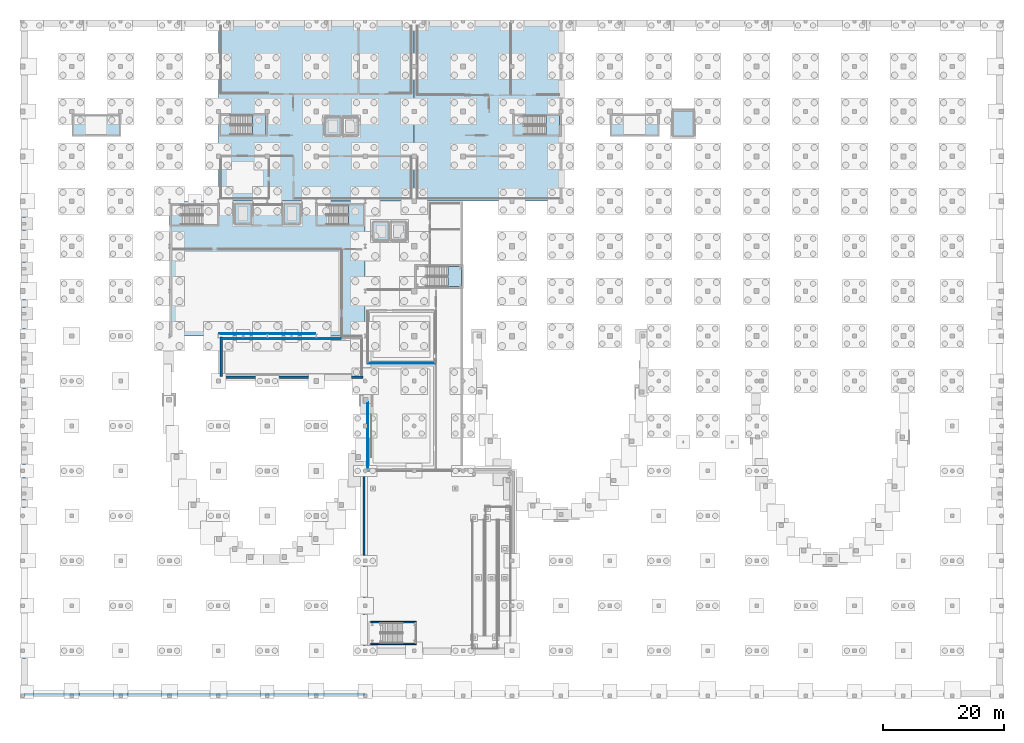
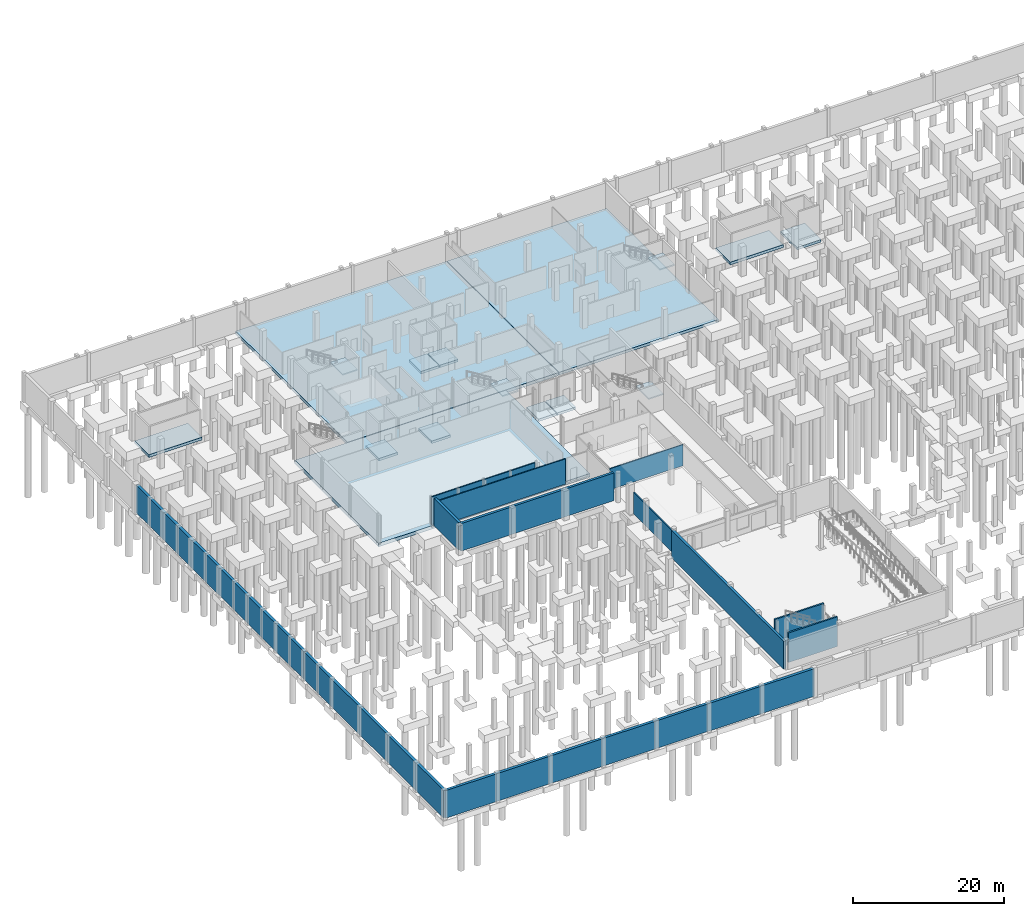
# One storey, part 23 of 37: 16 slabs, 12 walls, 4 elements without a shape of their own.
"""IFC4 building model written with IfcOpenShell, lengths in metres."""

from ifc_helpers import new_model, si_unit, direction, frame, frame_2d, origin, place, context, subcontext, project, spatial, polyline, rectangle, outline, extrude, material, layer, layer_set, type_object, element, aggregate, save


model = new_model("IFC4")

# Units and contexts
model_context = context("Model", 3, precision=1e-05, world=origin(), true_north=direction((0.0, 1.0)))
body_context = subcontext(model_context, "Body", "Model", "MODEL_VIEW")
ifc_project = project(units=[si_unit("LENGTHUNIT", "METRE"), si_unit("AREAUNIT", "SQUARE_METRE"), si_unit("VOLUMEUNIT", "CUBIC_METRE"), si_unit("PLANEANGLEUNIT", "RADIAN"), si_unit("MASSUNIT", "GRAM", prefix="KILO")], contexts=[model_context])

# Site, building, storey
site_placement = place(None, origin())
site = spatial("IfcSite", under=ifc_project, at=site_placement, CompositionType="ELEMENT")
building_placement = place(site_placement, origin())
building = spatial("IfcBuilding", under=site, at=building_placement, Name="Kaelora Sail Theatre", CompositionType="ELEMENT")
storey_placement = place(building_placement, frame((0.0, 0.0, -4.800048828125)))
storey = spatial("IfcBuildingStorey", under=building, at=storey_placement, Name="B1", CompositionType="ELEMENT", Elevation=-4.800048828125)

# Stair, slab
ifc_material_1 = material(Name="Concrete C40/50", Category="concrete")
stair_type_1 = type_object("IfcStairType", Name="ARC-ST-ESC150", PredefinedType="HALF_TURN_STAIR", material=ifc_material_1)
stair_1_placement = place(storey_placement, origin())
stair_1 = element("IfcStair", 1, at=stair_1_placement, inside=storey, type_object=stair_type_1, Name="B1 ST-K5", PredefinedType="HALF_TURN_STAIR")
ifc_material_2 = material(Name="Concrete C40/50", Category="concrete")
ifc_layer_1 = layer(ifc_material_2, 0.219970703125)
ifc_layer_set_1 = layer_set([ifc_layer_1], Name="Concrete C40/50")
slab_type_1 = type_object("IfcSlabType", Name="ARC-SLB-LND220", PredefinedType="LANDING", material=ifc_layer_set_1)
slab_1_placement = place(storey_placement, frame((0.0, 0.0, 2.199951171875)))
slab_1 = element("IfcSlab", 2, at=slab_1_placement, type_object=slab_type_1, Name="ST-K5 landing 1", PredefinedType="LANDING", context=body_context, shape_type="SweptSolid", body=[
    extrude(outline(polyline([(55.449951171875, 79.449951171875), (57.89990234375, 79.449951171875), (57.89990234375, 82.699951171875), (55.449951171875, 82.699951171875), (55.449951171875, 79.449951171875)])), origin(), (0.0, 0.0, 1.0), 0.2001953125),
])
aggregate(stair_1, [slab_1])

stair_2_placement = place(storey_placement, origin())
stair_2 = element("IfcStair", 3, at=stair_2_placement, inside=storey, type_object=stair_type_1, Name="B1 ST-K2", PredefinedType="HALF_TURN_STAIR")
slab_2_placement = place(storey_placement, frame((0.0, 0.0, 2.199951171875)))
slab_2 = element("IfcSlab", 4, at=slab_2_placement, type_object=slab_type_1, Name="ST-K2 landing 1", PredefinedType="LANDING", context=body_context, shape_type="SweptSolid", body=[
    extrude(outline(polyline([(39.5400390625, 94.35009765625), (41.800048828125, 94.35009765625), (41.800048828125, 97.60009765625), (39.5400390625, 97.60009765625), (39.5400390625, 94.35009765625)])), origin(), (0.0, 0.0, 1.0), 0.2001953125),
])
aggregate(stair_2, [slab_2])

stair_3_placement = place(storey_placement, origin())
stair_3 = element("IfcStair", 5, at=stair_3_placement, inside=storey, type_object=stair_type_1, Name="B1 ST-K3", PredefinedType="HALF_TURN_STAIR")
slab_3_placement = place(storey_placement, frame((0.0, 0.0, 2.199951171875)))
slab_3 = element("IfcSlab", 6, at=slab_3_placement, type_object=slab_type_1, Name="ST-K3 landing 1", PredefinedType="LANDING", context=body_context, shape_type="SweptSolid", body=[
    extrude(outline(polyline([(88.139892578125, 94.35009765625), (90.39990234375, 94.35009765625), (90.39990234375, 97.5), (88.139892578125, 97.5), (88.139892578125, 94.35009765625)])), origin(), (0.0, 0.0, 1.0), 0.2001953125),
])
aggregate(stair_3, [slab_3])

ifc_material_3 = material(Name="Precast concrete C45/55", Category="concrete")
stair_type_2 = type_object("IfcStairType", Name="ARC-ST-FOY165", PredefinedType="HALF_TURN_STAIR", material=ifc_material_3)
stair_4_placement = place(storey_placement, origin())
stair_4 = element("IfcStair", 7, at=stair_4_placement, inside=storey, type_object=stair_type_2, Name="B1 ST-F1", PredefinedType="HALF_TURN_STAIR")
ifc_material_4 = material(Name="Precast concrete C45/55", Category="concrete")
ifc_layer_2 = layer(ifc_material_4, 0.239990234375)
ifc_layer_set_2 = layer_set([ifc_layer_2], Name="Precast concrete C45/55")
slab_type_2 = type_object("IfcSlabType", Name="ARC-SLB-LND240", PredefinedType="LANDING", material=ifc_layer_set_2)
slab_4_placement = place(storey_placement, frame((0.0, 0.0, 2.199951171875)))
slab_4 = element("IfcSlab", 8, at=slab_4_placement, type_object=slab_type_2, Name="ST-F1 landing 1", PredefinedType="LANDING", context=body_context, shape_type="SweptSolid", body=[
    extrude(outline(polyline([(71.909912109375, 69.199951171875), (74.169921875, 69.199951171875), (74.169921875, 72.550048828125), (71.909912109375, 72.550048828125), (71.909912109375, 69.199951171875)])), origin(), (0.0, 0.0, 1.0), 0.2001953125),
])
aggregate(stair_4, [slab_4])

# Slabs
ifc_material_5 = material(Name="Concrete C40/50", Category="concrete")
ifc_layer_3 = layer(ifc_material_5, 0.449951171875)
ifc_layer_set_3 = layer_set([ifc_layer_3], Name="Concrete C40/50")
slab_type_3 = type_object("IfcSlabType", Name="STR-SLB-SL-BS450", PredefinedType="BASESLAB", material=ifc_layer_set_3)
slab_5_placement = place(storey_placement, frame((0.0, 0.0, -0.449951171875)))
element("IfcSlab", 9, at=slab_5_placement, inside=storey, type_object=slab_type_3, Name="Stair core ST-K4 basement raft slab", PredefinedType="BASESLAB", context=body_context, shape_type="SweptSolid", body=[
    extrude(outline(polyline([(98.75, 94.050048828125), (106.89990234375, 94.050048828125), (106.89990234375, 97.89990234375), (98.75, 97.89990234375), (98.75, 94.050048828125)])), origin(), (0.0, 0.0, 1.0), 0.449951171875),
])
slab_6_placement = place(storey_placement, frame((0.0, 0.0, -0.449951171875)))
element("IfcSlab", 10, at=slab_6_placement, inside=storey, type_object=slab_type_3, Name="Stair core ST-W1 basement raft slab", PredefinedType="BASESLAB", context=body_context, shape_type="SweptSolid", body=[
    extrude(outline(polyline([(9.64990234375, 94.050048828125), (17.800048828125, 94.050048828125), (17.800048828125, 97.800048828125), (9.64990234375, 97.800048828125), (9.64990234375, 94.050048828125)])), origin(), (0.0, 0.0, 1.0), 0.449951171875),
])
slab_7_placement = place(storey_placement, frame((0.0, 0.0, -0.449951171875)))
element("IfcSlab", 11, at=slab_7_placement, inside=storey, type_object=slab_type_3, Name="Basement base slab BS-NW3", PredefinedType="BASESLAB", context=body_context, shape_type="SweptSolid", body=[
    extrude(outline(polyline([(66.330078125, 83.35498046875), (90.800048828125, 83.35498046875), (90.800048828125, 113.10009765625), (66.330078125, 113.10009765625), (66.330078125, 83.35498046875)])), origin(), (0.0, 0.0, 1.0), 0.449951171875),
])
ifc_material_6 = material(Name="Concrete C40/50", Category="concrete")
ifc_layer_4 = layer(ifc_material_6, 0.5)
ifc_layer_set_4 = layer_set([ifc_layer_4], Name="Concrete C40/50")
slab_type_4 = type_object("IfcSlabType", Name="STR-SLB-SL-BS500", PredefinedType="BASESLAB", material=ifc_layer_set_4)
slab_8_placement = place(storey_placement, frame((0.0, 0.0, -0.5)))
element("IfcSlab", 12, at=slab_8_placement, inside=storey, type_object=slab_type_4, Name="Basement base slab BS-NW2", PredefinedType="BASESLAB", context=body_context, shape_type="SweptSolid", body=[
    extrude(outline(polyline([(33.929931640625, 83.35498046875), (66.27001953125, 83.35498046875), (66.27001953125, 113.10009765625), (33.929931640625, 113.10009765625), (33.929931640625, 83.35498046875)])), origin(), (0.0, 0.0, 1.0), 0.5),
])
ifc_material_7 = material(Name="Concrete C45/55", Category="concrete")
ifc_layer_5 = layer(ifc_material_7, 0.550048828125)
ifc_layer_set_5 = layer_set([ifc_layer_5], Name="Concrete C45/55")
slab_type_5 = type_object("IfcSlabType", Name="STR-SLB-SL-BS550", PredefinedType="BASESLAB", material=ifc_layer_set_5)
slab_9_placement = place(storey_placement, frame((0.0, 0.0, -0.550048828125)))
element("IfcSlab", 13, at=slab_9_placement, inside=storey, type_object=slab_type_5, Name="Basement base slab BS-FLY", PredefinedType="BASESLAB", context=body_context, shape_type="SweptSolid", body=[
    extrude(outline(polyline([(25.800048828125, 61.050048828125), (58.199951171875, 61.050048828125), (58.199951171875, 83.31005859375), (25.800048828125, 83.31005859375), (25.800048828125, 61.050048828125)])), origin(), (0.0, 0.0, 1.0), 0.550048828125),
])
ifc_material_8 = material(Name="Concrete C40/50", Category="concrete")
ifc_layer_6 = layer(ifc_material_8, 0.39990234375)
ifc_layer_set_6 = layer_set([ifc_layer_6], Name="Concrete C40/50")
slab_type_6 = type_object("IfcSlabType", Name="STR-SLB-SL-PIT400", PredefinedType="BASESLAB", material=ifc_layer_set_6)
slab_10_placement = place(storey_placement, frame((0.0, 0.0, -1.599853515625)))
element("IfcSlab", 14, at=slab_10_placement, inside=storey, type_object=slab_type_6, Name="Lift pit slab FFL-01", PredefinedType="BASESLAB", context=body_context, shape_type="SweptSolid", body=[
    extrude(outline(polyline([(36.5, 79.5), (39.39990234375, 79.5), (39.39990234375, 83.0), (36.5, 83.0), (36.5, 79.5)])), origin(), (0.0, 0.0, 1.0), 0.39990234375),
])
slab_11_placement = place(storey_placement, frame((0.0, 0.0, -1.599853515625)))
element("IfcSlab", 15, at=slab_11_placement, inside=storey, type_object=slab_type_6, Name="Lift pit slab FFL-02", PredefinedType="BASESLAB", context=body_context, shape_type="SweptSolid", body=[
    extrude(outline(polyline([(44.60009765625, 79.5), (47.5, 79.5), (47.5, 83.0), (44.60009765625, 83.0), (44.60009765625, 79.5)])), origin(), (0.0, 0.0, 1.0), 0.39990234375),
])
slab_12_placement = place(storey_placement, frame((0.0, 0.0, -1.599853515625)))
element("IfcSlab", 16, at=slab_12_placement, inside=storey, type_object=slab_type_6, Name="Lift pit slab PL-01", PredefinedType="BASESLAB", context=body_context, shape_type="SweptSolid", body=[
    extrude(outline(polyline([(59.39990234375, 76.800048828125), (62.199951171875, 76.800048828125), (62.199951171875, 80.0), (59.39990234375, 80.0), (59.39990234375, 76.800048828125)])), origin(), (0.0, 0.0, 1.0), 0.39990234375),
])
slab_13_placement = place(storey_placement, frame((0.0, 0.0, -1.599853515625)))
element("IfcSlab", 17, at=slab_13_placement, inside=storey, type_object=slab_type_6, Name="Lift pit slab PL-02", PredefinedType="BASESLAB", context=body_context, shape_type="SweptSolid", body=[
    extrude(outline(polyline([(62.300048828125, 76.800048828125), (65.10009765625, 76.800048828125), (65.10009765625, 80.0), (62.300048828125, 80.0), (62.300048828125, 76.800048828125)])), origin(), (0.0, 0.0, 1.0), 0.39990234375),
])
slab_14_placement = place(storey_placement, frame((0.0, 0.0, -1.599853515625)))
element("IfcSlab", 18, at=slab_14_placement, inside=storey, type_object=slab_type_6, Name="Lift pit slab PL-03", PredefinedType="BASESLAB", context=body_context, shape_type="SweptSolid", body=[
    extrude(outline(polyline([(51.39990234375, 94.14990234375), (54.199951171875, 94.14990234375), (54.199951171875, 97.35009765625), (51.39990234375, 97.35009765625), (51.39990234375, 94.14990234375)])), origin(), (0.0, 0.0, 1.0), 0.39990234375),
])
slab_15_placement = place(storey_placement, frame((0.0, 0.0, -1.599853515625)))
element("IfcSlab", 19, at=slab_15_placement, inside=storey, type_object=slab_type_6, Name="Lift pit slab PL-04", PredefinedType="BASESLAB", context=body_context, shape_type="SweptSolid", body=[
    extrude(outline(polyline([(54.300048828125, 94.14990234375), (57.10009765625, 94.14990234375), (57.10009765625, 97.35009765625), (54.300048828125, 97.35009765625), (54.300048828125, 94.14990234375)])), origin(), (0.0, 0.0, 1.0), 0.39990234375),
])
slab_16_placement = place(storey_placement, frame((0.0, 0.0, -1.599853515625)))
element("IfcSlab", 20, at=slab_16_placement, inside=storey, type_object=slab_type_6, Name="Lift pit slab GL-01", PredefinedType="BASESLAB", context=body_context, shape_type="SweptSolid", body=[
    extrude(outline(polyline([(109.0, 94.050048828125), (112.699951171875, 94.050048828125), (112.699951171875, 98.449951171875), (109.0, 98.449951171875), (109.0, 94.050048828125)])), origin(), (0.0, 0.0, 1.0), 0.39990234375),
])

# Walls
ifc_material_9 = material(Name="Concrete C40/50", Category="concrete")
ifc_layer_7 = layer(ifc_material_9, 0.25)
ifc_layer_set_7 = layer_set([ifc_layer_7], Name="Concrete C40/50")
wall_type_1 = type_object("IfcWallType", Name="ARC-WL-CW-250", PredefinedType="SHEAR", material=ifc_layer_set_7)
for number, where, z_axis, x_axis, name in (
    (21, (59.10009765625, 13.669921875, 0.0), (0.0, 0.0, 1.0), (1.0, 0.0, 0.0), "Plaza stair ST-PLZ cheek wall N"),
    (22, (59.10009765625, 10.080078125, 0.0), (0.0, 0.0, 1.0), (1.0, 0.0, 0.0), "Plaza stair ST-PLZ cheek wall S"),
):
    element("IfcWall", number, at=place(storey_placement, frame(where, z_axis=z_axis, x_axis=x_axis)), inside=storey, type_object=wall_type_1, Name=name, PredefinedType="SHEAR", context=body_context, shape_type="SweptSolid", body=[
        extrude(rectangle(XDim=7.5498046875, YDim=0.25, at=frame_2d((3.77490234375, 0.0))), origin(), (0.0, 0.0, 1.0), 4.800048828125),
    ])
ifc_material_10 = material(Name="Demountable acoustic studio wall 150 mm", Category="timber")
ifc_layer_8 = layer(ifc_material_10, 0.14990234375)
ifc_layer_set_8 = layer_set([ifc_layer_8], Name="Demountable acoustic studio wall 150 mm")
wall_type_2 = type_object("IfcWallType", Name="ARC-WL-MV-150", PredefinedType="MOVABLE", material=ifc_layer_set_8)
wall_1_placement = place(storey_placement, frame((58.60009765625, 56.5, 0.0), z_axis=(0.0, 0.0, 1.0), x_axis=(1.0, 0.0, 0.0)))
element("IfcWall", 23, at=wall_1_placement, inside=storey, type_object=wall_type_2, Name="Interior acoustic partition B1-METRO/B1-CLOAK", PredefinedType="MOVABLE", context=body_context, shape_type="SweptSolid", body=[
    extrude(rectangle(XDim=11.199951171875, YDim=0.14990234375, at=frame_2d((5.60009765625, 0.0))), origin(), (0.0, 0.0, 1.0), 3.412109375),
])
ifc_material_11 = material(Name="Acoustic metal-stud plasterboard 160 mm", Category="gypsum")
ifc_layer_9 = layer(ifc_material_11, 0.159912109375)
ifc_layer_set_9 = layer_set([ifc_layer_9], Name="Acoustic metal-stud plasterboard 160 mm")
wall_type_3 = type_object("IfcWallType", Name="ARC-WL-PT-160", PredefinedType="PARTITIONING", material=ifc_layer_set_9)
wall_2_placement = place(storey_placement, frame((34.699951171875, 60.60009765625, 0.0), z_axis=(0.0, 0.0, 1.0), x_axis=(1.0, 0.0, 0.0)))
element("IfcWall", 24, at=wall_2_placement, inside=storey, type_object=wall_type_3, Name="Room enclosure wall B1-OPIT-N1", PredefinedType="PARTITIONING", context=body_context, shape_type="SweptSolid", body=[
    extrude(rectangle(XDim=19.449951171875, YDim=0.159912109375, at=frame_2d((9.72509765625, 0.0))), origin(), (0.0, 0.0, 1.0), 4.10205078125),
])
wall_3_placement = place(storey_placement, frame((34.070068359375, 61.39990234375, 0.0), z_axis=(0.0, 0.0, 1.0), x_axis=(1.0, 0.0, 0.0)))
element("IfcWall", 25, at=wall_3_placement, inside=storey, type_object=wall_type_3, Name="Room enclosure wall B1-TRAP-S1", PredefinedType="PARTITIONING", context=body_context, shape_type="SweptSolid", body=[
    extrude(rectangle(XDim=15.85986328125, YDim=0.159912109375, at=frame_2d((7.929931640625, 0.0))), origin(), (0.0, 0.0, 1.0), 4.4599609375),
])
wall_4_placement = place(storey_placement, frame((58.60009765625, 39.199951171875, 0.0), z_axis=(0.0, 0.0, 1.0), x_axis=(0.0, 1.0, 0.0)))
element("IfcWall", 26, at=wall_4_placement, inside=storey, type_object=wall_type_3, Name="Room enclosure wall B1-METRO-W1", PredefinedType="PARTITIONING", context=body_context, shape_type="SweptSolid", body=[
    extrude(rectangle(XDim=10.862548828125, YDim=0.159912109375, at=frame_2d((5.43115234375, 0.0))), origin(), (0.0, 0.0, 1.0), 3.511962890625),
])
ifc_material_12 = material(Name="Concrete C40/50", Category="concrete")
ifc_layer_10 = layer(ifc_material_12, 0.3798828125)
ifc_layer_set_10 = layer_set([ifc_layer_10], Name="Concrete C40/50")
wall_type_4 = type_object("IfcWallType", Name="ARC-WL-RW-380", PredefinedType="USERDEFINED", material=ifc_layer_set_10)
wall_5_placement = place(storey_placement, frame((58.010009765625, 8.949951171875, 0.0), z_axis=(0.0, 0.0, 1.0), x_axis=(0.0, 1.0, 0.0)))
element("IfcWall", 27, at=wall_5_placement, inside=storey, type_object=wall_type_4, Name="Grounded concrete plinth retaining wall B1-COURT-W", ObjectType="RETAINING WALL", PredefinedType="USERDEFINED", context=body_context, shape_type="SweptSolid", body=[
    extrude(rectangle(XDim=29.75, YDim=0.3798828125, at=frame_2d((14.875, 0.0))), origin(), (0.0, 0.0, 1.0), 4.47998046875),
])
wall_6_placement = place(storey_placement, frame((34.39990234375, 54.18994140625, 0.0), z_axis=(0.0, 0.0, 1.0), x_axis=(1.0, 0.0, 0.0)))
element("IfcWall", 28, at=wall_6_placement, inside=storey, type_object=wall_type_4, Name="Grounded concrete plinth retaining wall B1-RW-OPIT-S", ObjectType="RETAINING WALL", PredefinedType="USERDEFINED", context=body_context, shape_type="SweptSolid", body=[
    extrude(rectangle(XDim=23.400146484375, YDim=0.3798828125, at=frame_2d((11.7001953125, 0.0))), origin(), (0.0, 0.0, 1.0), 4.47998046875),
])
wall_7_placement = place(storey_placement, frame((34.389892578125, 54.35009765625, 0.0), z_axis=(0.0, 0.0, 1.0), x_axis=(0.0, 1.0, 0.0)))
element("IfcWall", 29, at=wall_7_placement, inside=storey, type_object=wall_type_4, Name="Grounded concrete plinth retaining wall B1-RW-OPIT-W1", ObjectType="RETAINING WALL", PredefinedType="USERDEFINED", context=body_context, shape_type="SweptSolid", body=[
    extrude(rectangle(XDim=6.5, YDim=0.3798828125, at=frame_2d((3.25, 0.0))), origin(), (0.0, 0.0, 1.0), 4.47998046875),
])
ifc_material_13 = material(Name="Concrete C45/55", Category="concrete")
ifc_layer_11 = layer(ifc_material_13, 0.419921875)
ifc_layer_set_11 = layer_set([ifc_layer_11], Name="Concrete C45/55")
wall_type_5 = type_object("IfcWallType", Name="ARC-WL-RW-420", PredefinedType="USERDEFINED", material=ifc_layer_set_11)
wall_8_placement = place(storey_placement, frame((1.7099609375, 1.7099609375, 0.0), z_axis=(0.0, 0.0, 1.0), x_axis=(1.0, 0.0, 0.0)))
element("IfcWall", 30, at=wall_8_placement, inside=storey, type_object=wall_type_5, Name="Grounded concrete plinth retaining wall B1-PLINTH-SW", ObjectType="RETAINING WALL", PredefinedType="USERDEFINED", context=body_context, shape_type="SweptSolid", body=[
    extrude(rectangle(XDim=56.489990234375, YDim=0.419921875, at=frame_2d((28.2451171875, 0.0))), origin(), (0.0, 0.0, 1.0), 4.47998046875),
])
wall_9_placement = place(storey_placement, frame((1.7099609375, 1.7099609375, 0.0), z_axis=(0.0, 0.0, 1.0), x_axis=(0.0, 1.0, 0.0)))
element("IfcWall", 31, at=wall_9_placement, inside=storey, type_object=wall_type_5, Name="Grounded concrete plinth retaining wall B1-PLINTH-WS", ObjectType="RETAINING WALL", PredefinedType="USERDEFINED", context=body_context, shape_type="SweptSolid", body=[
    extrude(rectangle(XDim=36.989990234375, YDim=0.419921875, at=frame_2d((18.4951171875, 0.0))), origin(), (0.0, 0.0, 1.0), 4.47998046875),
])
wall_10_placement = place(storey_placement, frame((1.7099609375, 38.699951171875, 0.0), z_axis=(0.0, 0.0, 1.0), x_axis=(0.0, 1.0, 0.0)))
element("IfcWall", 32, at=wall_10_placement, inside=storey, type_object=wall_type_5, Name="Grounded concrete plinth retaining wall B1-PLINTH-WM", ObjectType="RETAINING WALL", PredefinedType="USERDEFINED", context=body_context, shape_type="SweptSolid", body=[
    extrude(rectangle(XDim=44.64013671875, YDim=0.419921875, at=frame_2d((22.320068359375, 0.0))), origin(), (0.0, 0.0, 1.0), 4.47998046875),
])

save(model, "model.ifc")
